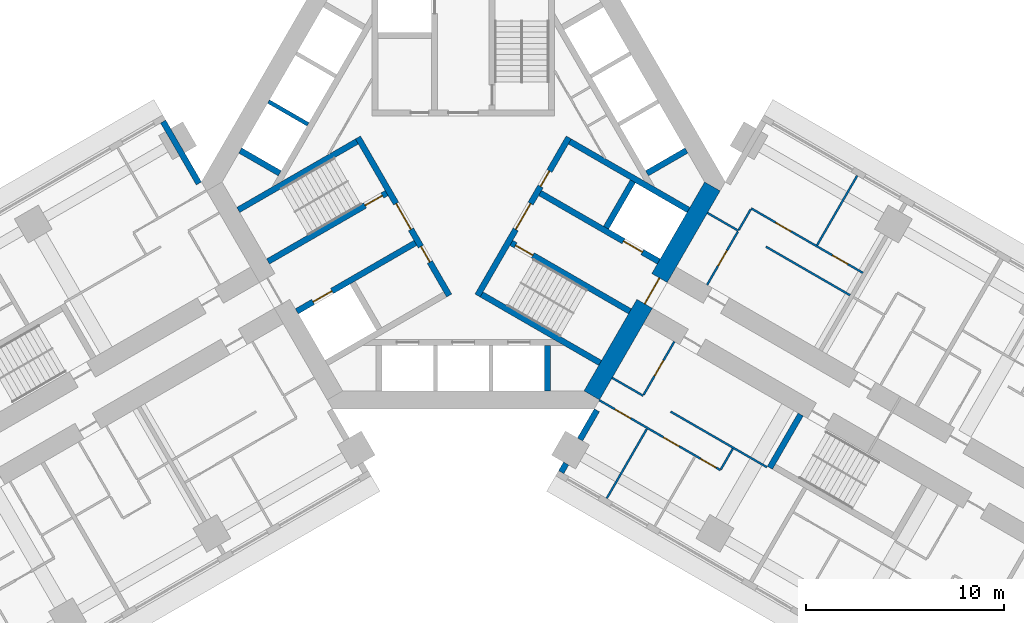
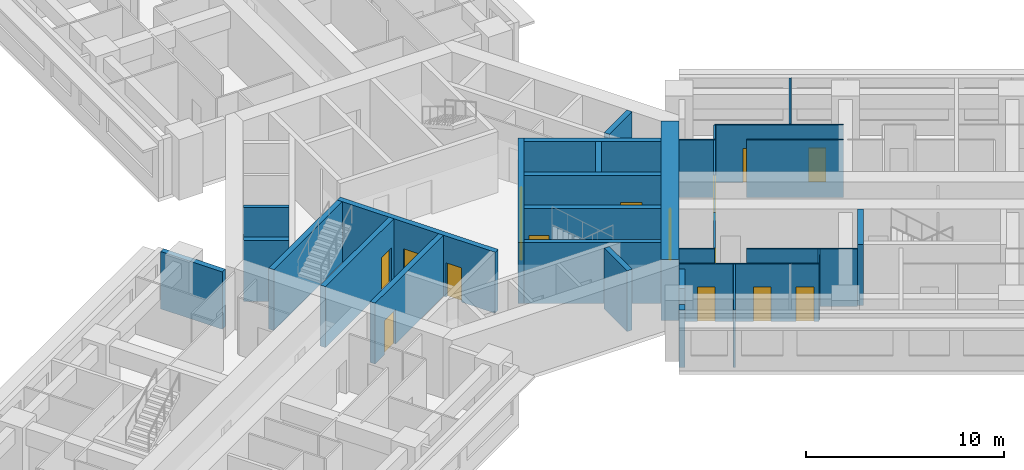
# One storey, part 7 of 16: 31 walls, 16 doors, 16 openings.
"""IFC4 building model written with IfcOpenShell, lengths in metres."""

from ifc_helpers import new_model, si_unit, direction, frame, frame_2d, origin, place, context, subcontext, project, spatial, rectangle, extrude, material, layer, layer_set, type_object, element, fill, save


model = new_model("IFC4")

# Units and contexts
model_context = context("Model", 3, precision=1e-05, world=origin(), true_north=direction((0.0, 1.0)))
body_context = subcontext(model_context, "Body", "Model", "MODEL_VIEW")
ifc_project = project(units=[si_unit("LENGTHUNIT", "METRE"), si_unit("AREAUNIT", "SQUARE_METRE"), si_unit("VOLUMEUNIT", "CUBIC_METRE"), si_unit("PLANEANGLEUNIT", "RADIAN"), si_unit("MASSUNIT", "GRAM", prefix="KILO")], contexts=[model_context])

# Site, building, storey
site_placement = place(None, origin())
site = spatial("IfcSite", under=ifc_project, at=site_placement, CompositionType="ELEMENT")
building_placement = place(site_placement, origin())
building = spatial("IfcBuilding", under=site, at=building_placement, Name="Impinga Residences", CompositionType="ELEMENT")
storey_placement = place(building_placement, frame((0.0, 0.0, 52.25)))
storey = spatial("IfcBuildingStorey", under=building, at=storey_placement, Name="L12", CompositionType="ELEMENT", Elevation=52.25)

# Walls
ifc_material_1 = material(Name="Terracotta rainscreen on blockwork", Category="masonry")
ifc_layer_1 = layer(ifc_material_1, 0.300048828125)
ifc_layer_set_1 = layer_set([ifc_layer_1], Name="EW1 external wall, terracotta rainscreen on blockwork 300")
wall_type_1 = type_object("IfcWallType", Name="EW1 external wall, terracotta rainscreen on blockwork 300", PredefinedType="SOLIDWALL", material=ifc_layer_set_1)
wall_1_placement = place(storey_placement, frame((-15.1298828125, 3.042724609375, 0.0), z_axis=(0.0, 0.0, 1.0), x_axis=(0.500012057535, -0.866018442252, 0.0)))
element("IfcWall", 1, at=wall_1_placement, inside=storey, type_object=wall_type_1, Name="External wall EW1 L12", PredefinedType="SOLIDWALL", context=body_context, shape_type="SweptSolid", body=[
    extrude(rectangle(XDim=3.60009765625, YDim=0.300048828125, at=frame_2d((1.800048828125, 0.0))), origin(), (0.0, 0.0, 1.0), 3.530029296875),
])
wall_2_placement = place(storey_placement, frame((4.929931640625, -14.624267578125, 0.0), z_axis=(0.0, 0.0, 1.0), x_axis=(0.499919672301, 0.866071776036, 0.0)))
element("IfcWall", 2, at=wall_2_placement, inside=storey, type_object=wall_type_1, Name="External wall EW1 L12", PredefinedType="SOLIDWALL", context=body_context, shape_type="SweptSolid", body=[
    extrude(rectangle(XDim=0.5, YDim=0.300048828125, at=frame_2d((0.25, 0.0))), origin(), (0.0, 0.0, 1.0), 3.530029296875),
])
wall_3_placement = place(storey_placement, frame((5.8798828125, -12.978759765625, 0.0), z_axis=(0.0, 0.0, 1.0), x_axis=(0.500062241894, 0.865989465428, 0.0)))
element("IfcWall", 3, at=wall_3_placement, inside=storey, type_object=wall_type_1, Name="External wall EW1 L12", PredefinedType="SOLIDWALL", context=body_context, shape_type="SweptSolid", body=[
    extrude(rectangle(XDim=1.699951171875, YDim=0.300048828125, at=frame_2d((0.85009765625, 0.0))), origin(), (0.0, 0.0, 1.0), 3.530029296875),
])
ifc_material_2 = material(Name="Gypsum board on steel studs", Category="steel")
ifc_layer_2 = layer(ifc_material_2, 0.10009765625)
ifc_layer_set_2 = layer_set([ifc_layer_2], Name="Gypsum board on steel studs")
wall_type_2 = type_object("IfcWallType", Name="IP1 partition 100", PredefinedType="PARTITIONING", material=ifc_layer_set_2)
wall_4_placement = place(storey_placement, frame((12.300048828125, -1.558837890625, 0.0), z_axis=(0.0, 0.0, 1.0), x_axis=(0.866047807691, -0.499961193289, 0.0)))
element("IfcWall", 4, at=wall_4_placement, inside=storey, type_object=wall_type_2, Name="Partition L12-EA1:DIV0", PredefinedType="PARTITIONING", context=body_context, shape_type="SweptSolid", body=[
    extrude(rectangle(XDim=1.800048828125, YDim=0.10009765625, at=frame_2d((0.89990234375, 0.0))), origin(), (0.0, 0.0, 1.0), 3.530029296875),
])
wall_5_placement = place(storey_placement, frame((15.244384765625, -3.2587890625, 0.0), z_axis=(0.0, 0.0, 1.0), x_axis=(0.866036242063, -0.49998122708, 0.0)))
element("IfcWall", 5, at=wall_5_placement, inside=storey, type_object=wall_type_2, Name="Partition L12-EA1:DIV1", PredefinedType="PARTITIONING", context=body_context, shape_type="SweptSolid", body=[
    extrude(rectangle(XDim=4.900146484375, YDim=0.10009765625, at=frame_2d((2.4501953125, 0.0))), origin(), (0.0, 0.0, 1.0), 3.530029296875),
])

# Wall, openings, doors
wall_6_placement = place(storey_placement, frame((14.5087890625, -1.3330078125, 0.0), z_axis=(0.0, 0.0, 1.0), x_axis=(0.866024837091, -0.50000098154, 0.0)))
wall_6 = element("IfcWall", 6, at=wall_6_placement, inside=storey, type_object=wall_type_2, Name="Partition L12-EA1:STRIP", PredefinedType="PARTITIONING", context=body_context, shape_type="SweptSolid", body=[
    extrude(rectangle(XDim=6.5, YDim=0.10009765625, at=frame_2d((3.25, 0.0))), origin(), (0.0, 0.0, 1.0), 3.530029296875),
])
opening_1_placement = place(wall_6_placement, frame((1.425048828125, 0.0, 0.0)))
opening_1 = element("IfcOpeningElement", 7, at=opening_1_placement, cuts=wall_6, Name="Opening D2", PredefinedType="OPENING", context=body_context, shape_type="SweptSolid", body=[
    extrude(rectangle(XDim=0.89990234375, YDim=2.10009765625, at=frame_2d((0.449951171875, 1.050048828125))), frame((0.0, 0.06005859375, 0.0), z_axis=(0.0, -1.0, 0.0), x_axis=(1.0, 0.0, 0.0)), (0.0, 0.0, 1.0), 0.1201171875),
])
opening_2_placement = place(wall_6_placement, frame((4.72509765625, 0.0, 0.0)))
opening_2 = element("IfcOpeningElement", 8, at=opening_2_placement, cuts=wall_6, Name="Opening D2", PredefinedType="OPENING", context=body_context, shape_type="SweptSolid", body=[
    extrude(rectangle(XDim=0.89990234375, YDim=2.10009765625, at=frame_2d((0.449951171875, 1.050048828125))), frame((0.0, 0.06005859375, 0.0), z_axis=(0.0, -1.0, 0.0), x_axis=(1.0, 0.0, 0.0)), (0.0, 0.0, 1.0), 0.1201171875),
])
ifc_material_3 = material(Name="Timber door set", Category="wood")
door_type_1 = type_object("IfcDoorType", Name="D2 internal door 900x2100", OperationType="SINGLE_SWING_LEFT", PredefinedType="DOOR", material=ifc_material_3)
door_1_placement = place(opening_1_placement, origin())
door_1 = element("IfcDoor", 9, at=door_1_placement, inside=storey, type_object=door_type_1, Name="Apartment L12-EA1 room door", OperationType="SINGLE_SWING_LEFT", OverallHeight=2.10009765625, OverallWidth=0.89990234375, PredefinedType="DOOR", context=body_context, shape_type="SweptSolid", body=[
    extrude(rectangle(XDim=0.89990234375, YDim=2.10009765625, at=frame_2d((0.449951171875, 1.050048828125))), frame((0.0, 0.02490234375, 0.0), z_axis=(0.0, -1.0, 0.0), x_axis=(1.0, 0.0, 0.0)), (0.0, 0.0, 1.0), 0.050048828125),
])
fill(opening_1, door_1)
door_2_placement = place(opening_2_placement, origin())
door_2 = element("IfcDoor", 10, at=door_2_placement, inside=storey, type_object=door_type_1, Name="Apartment L12-EA1 room door", OperationType="SINGLE_SWING_RIGHT", OverallHeight=2.10009765625, OverallWidth=0.89990234375, PredefinedType="DOOR", context=body_context, shape_type="SweptSolid", body=[
    extrude(rectangle(XDim=0.89990234375, YDim=2.10009765625, at=frame_2d((0.449951171875, 1.050048828125))), frame((0.0, 0.02490234375, 0.0), z_axis=(0.0, -1.0, 0.0), x_axis=(1.0, 0.0, 0.0)), (0.0, 0.0, 1.0), 0.050048828125),
])
fill(opening_2, door_2)

# Wall
wall_7_placement = place(storey_placement, frame((13.8837890625, -2.41552734375, 0.0), z_axis=(0.0, 0.0, 1.0), x_axis=(0.500033551112, 0.866006032174, 0.0)))
element("IfcWall", 11, at=wall_7_placement, inside=storey, type_object=wall_type_2, Name="Partition L12-EA1:SE0", PredefinedType="PARTITIONING", context=body_context, shape_type="SweptSolid", body=[
    extrude(rectangle(XDim=1.2001953125, YDim=0.10009765625, at=frame_2d((0.60009765625, 0.0))), origin(), (0.0, 0.0, 1.0), 3.530029296875),
])

# Wall, opening, door
wall_8_placement = place(storey_placement, frame((12.283935546875, -5.186767578125, 0.0), z_axis=(0.0, 0.0, 1.0), x_axis=(0.499967891604, 0.866043940782, 0.0)))
wall_8 = element("IfcWall", 12, at=wall_8_placement, inside=storey, type_object=wall_type_2, Name="Partition L12-EA1:IB1", PredefinedType="PARTITIONING", context=body_context, shape_type="SweptSolid", body=[
    extrude(rectangle(XDim=3.099853515625, YDim=0.10009765625, at=frame_2d((1.5498046875, 0.0))), origin(), (0.0, 0.0, 1.0), 3.530029296875),
])
opening_3_placement = place(wall_8_placement, frame((1.10009765625, 0.0, 0.0)))
opening_3 = element("IfcOpeningElement", 13, at=opening_3_placement, cuts=wall_8, Name="Opening D2", PredefinedType="OPENING", context=body_context, shape_type="SweptSolid", body=[
    extrude(rectangle(XDim=0.89990234375, YDim=2.10009765625, at=frame_2d((0.449951171875, 1.050048828125))), frame((0.0, 0.06005859375, 0.0), z_axis=(0.0, -1.0, 0.0), x_axis=(1.0, 0.0, 0.0)), (0.0, 0.0, 1.0), 0.1201171875),
])
door_3_placement = place(opening_3_placement, origin())
door_3 = element("IfcDoor", 14, at=door_3_placement, inside=storey, type_object=door_type_1, Name="Apartment L12-EA1 bathroom door", OperationType="SINGLE_SWING_LEFT", OverallHeight=2.10009765625, OverallWidth=0.89990234375, PredefinedType="DOOR", context=body_context, shape_type="SweptSolid", body=[
    extrude(rectangle(XDim=0.89990234375, YDim=2.10009765625, at=frame_2d((0.449951171875, 1.050048828125))), frame((0.0, 0.02490234375, 0.0), z_axis=(0.0, -1.0, 0.0), x_axis=(1.0, 0.0, 0.0)), (0.0, 0.0, 1.0), 0.050048828125),
])
fill(opening_3, door_3)

# Walls
wall_9_placement = place(storey_placement, frame((17.82470703125, -3.189697265625, 0.0), z_axis=(0.0, 0.0, 1.0), x_axis=(0.500035537042, 0.866004885491, 0.0)))
element("IfcWall", 15, at=wall_9_placement, inside=storey, type_object=wall_type_2, Name="Partition L12-EA1:OB1", PredefinedType="PARTITIONING", context=body_context, shape_type="SweptSolid", body=[
    extrude(rectangle(XDim=4.050048828125, YDim=0.10009765625, at=frame_2d((2.02490234375, 0.0))), origin(), (0.0, 0.0, 1.0), 3.530029296875),
])
wall_10_placement = place(storey_placement, frame((7.5, -9.872802734375, 0.0), z_axis=(0.0, 0.0, 1.0), x_axis=(0.866047807691, -0.499961193289, 0.0)))
element("IfcWall", 16, at=wall_10_placement, inside=storey, type_object=wall_type_2, Name="Partition L12-EF1:DIV0", PredefinedType="PARTITIONING", context=body_context, shape_type="SweptSolid", body=[
    extrude(rectangle(XDim=1.800048828125, YDim=0.10009765625, at=frame_2d((0.89990234375, 0.0))), origin(), (0.0, 0.0, 1.0), 3.530029296875),
])
wall_11_placement = place(storey_placement, frame((10.444580078125, -11.57275390625, 0.0), z_axis=(0.0, 0.0, 1.0), x_axis=(0.866015695474, -0.500016814911, 0.0)))
element("IfcWall", 17, at=wall_11_placement, inside=storey, type_object=wall_type_2, Name="Partition L12-EF1:DIV1", PredefinedType="PARTITIONING", context=body_context, shape_type="SweptSolid", body=[
    extrude(rectangle(XDim=5.599853515625, YDim=0.10009765625, at=frame_2d((2.7998046875, 0.0))), origin(), (0.0, 0.0, 1.0), 3.530029296875),
])

# Wall, openings, doors
wall_12_placement = place(storey_placement, frame((6.85009765625, -10.99853515625, 0.0), z_axis=(0.0, 0.0, 1.0), x_axis=(0.866031034943, -0.499990246421, 0.0)))
wall_12 = element("IfcWall", 18, at=wall_12_placement, inside=storey, type_object=wall_type_2, Name="Partition L12-EF1:STRIP", PredefinedType="PARTITIONING", context=body_context, shape_type="SweptSolid", body=[
    extrude(rectangle(XDim=7.050048828125, YDim=0.10009765625, at=frame_2d((3.52490234375, 0.0))), origin(), (0.0, 0.0, 1.0), 3.530029296875),
])
opening_4_placement = place(wall_12_placement, frame((0.925048828125, 0.0, 0.0)))
opening_4 = element("IfcOpeningElement", 19, at=opening_4_placement, cuts=wall_12, Name="Opening D2", PredefinedType="OPENING", context=body_context, shape_type="SweptSolid", body=[
    extrude(rectangle(XDim=0.89990234375, YDim=2.10009765625, at=frame_2d((0.449951171875, 1.050048828125))), frame((0.0, 0.06005859375, 0.0), z_axis=(0.0, -1.0, 0.0), x_axis=(1.0, 0.0, 0.0)), (0.0, 0.0, 1.0), 0.1201171875),
])
opening_5_placement = place(wall_12_placement, frame((3.75, 0.0, 0.0)))
opening_5 = element("IfcOpeningElement", 20, at=opening_5_placement, cuts=wall_12, Name="Opening D2", PredefinedType="OPENING", context=body_context, shape_type="SweptSolid", body=[
    extrude(rectangle(XDim=0.89990234375, YDim=2.10009765625, at=frame_2d((0.449951171875, 1.050048828125))), frame((0.0, 0.06005859375, 0.0), z_axis=(0.0, -1.0, 0.0), x_axis=(1.0, 0.0, 0.0)), (0.0, 0.0, 1.0), 0.1201171875),
])
opening_6_placement = place(wall_12_placement, frame((5.89990234375, 0.0, 0.0)))
opening_6 = element("IfcOpeningElement", 21, at=opening_6_placement, cuts=wall_12, Name="Opening D2", PredefinedType="OPENING", context=body_context, shape_type="SweptSolid", body=[
    extrude(rectangle(XDim=0.89990234375, YDim=2.10009765625, at=frame_2d((0.449951171875, 1.050048828125))), frame((0.0, 0.06005859375, 0.0), z_axis=(0.0, -1.0, 0.0), x_axis=(1.0, 0.0, 0.0)), (0.0, 0.0, 1.0), 0.1201171875),
])
door_4_placement = place(opening_4_placement, origin())
door_4 = element("IfcDoor", 22, at=door_4_placement, inside=storey, type_object=door_type_1, Name="Apartment L12-EF1 room door", OperationType="SINGLE_SWING_LEFT", OverallHeight=2.10009765625, OverallWidth=0.89990234375, PredefinedType="DOOR", context=body_context, shape_type="SweptSolid", body=[
    extrude(rectangle(XDim=0.89990234375, YDim=2.10009765625, at=frame_2d((0.449951171875, 1.050048828125))), frame((0.0, 0.02490234375, 0.0), z_axis=(0.0, -1.0, 0.0), x_axis=(1.0, 0.0, 0.0)), (0.0, 0.0, 1.0), 0.050048828125),
])
fill(opening_4, door_4)
door_5_placement = place(opening_5_placement, origin())
door_5 = element("IfcDoor", 23, at=door_5_placement, inside=storey, type_object=door_type_1, Name="Apartment L12-EF1 room door", OperationType="SINGLE_SWING_RIGHT", OverallHeight=2.10009765625, OverallWidth=0.89990234375, PredefinedType="DOOR", context=body_context, shape_type="SweptSolid", body=[
    extrude(rectangle(XDim=0.89990234375, YDim=2.10009765625, at=frame_2d((0.449951171875, 1.050048828125))), frame((0.0, 0.02490234375, 0.0), z_axis=(0.0, -1.0, 0.0), x_axis=(1.0, 0.0, 0.0)), (0.0, 0.0, 1.0), 0.050048828125),
])
fill(opening_5, door_5)
door_6_placement = place(opening_6_placement, origin())
door_6 = element("IfcDoor", 24, at=door_6_placement, inside=storey, type_object=door_type_1, Name="Apartment L12-EF1 room door", OperationType="SINGLE_SWING_RIGHT", OverallHeight=2.10009765625, OverallWidth=0.89990234375, PredefinedType="DOOR", context=body_context, shape_type="SweptSolid", body=[
    extrude(rectangle(XDim=0.89990234375, YDim=2.10009765625, at=frame_2d((0.449951171875, 1.050048828125))), frame((0.0, 0.02490234375, 0.0), z_axis=(0.0, -1.0, 0.0), x_axis=(1.0, 0.0, 0.0)), (0.0, 0.0, 1.0), 0.050048828125),
])
fill(opening_6, door_6)

# Wall
wall_13_placement = place(storey_placement, frame((13.58056640625, -13.44091796875, 0.0), z_axis=(0.0, 0.0, 1.0), x_axis=(-0.500033551112, -0.866006032174, 0.0)))
element("IfcWall", 25, at=wall_13_placement, inside=storey, type_object=wall_type_2, Name="Partition L12-EF1:SE1", PredefinedType="PARTITIONING", context=body_context, shape_type="SweptSolid", body=[
    extrude(rectangle(XDim=1.2001953125, YDim=0.10009765625, at=frame_2d((0.60009765625, 0.0))), origin(), (0.0, 0.0, 1.0), 3.530029296875),
])

# Wall, opening, door
wall_14_placement = place(storey_placement, frame((10.6337890625, -8.044677734375, 0.0), z_axis=(0.0, 0.0, 1.0), x_axis=(-0.49999285859, -0.86602952684, 0.0)))
wall_14 = element("IfcWall", 26, at=wall_14_placement, inside=storey, type_object=wall_type_2, Name="Partition L12-EF1:IB1", PredefinedType="PARTITIONING", context=body_context, shape_type="SweptSolid", body=[
    extrude(rectangle(XDim=3.10009765625, YDim=0.10009765625, at=frame_2d((1.550048828125, 0.0))), origin(), (0.0, 0.0, 1.0), 3.530029296875),
])
opening_7_placement = place(wall_14_placement, frame((1.10009765625, 0.0, 0.0)))
opening_7 = element("IfcOpeningElement", 27, at=opening_7_placement, cuts=wall_14, Name="Opening D2", PredefinedType="OPENING", context=body_context, shape_type="SweptSolid", body=[
    extrude(rectangle(XDim=0.89990234375, YDim=2.10009765625, at=frame_2d((0.449951171875, 1.050048828125))), frame((0.0, 0.06005859375, 0.0), z_axis=(0.0, -1.0, 0.0), x_axis=(1.0, 0.0, 0.0)), (0.0, 0.0, 1.0), 0.1201171875),
])
door_7_placement = place(opening_7_placement, origin())
door_7 = element("IfcDoor", 28, at=door_7_placement, inside=storey, type_object=door_type_1, Name="Apartment L12-EF1 bathroom door", OperationType="SINGLE_SWING_LEFT", OverallHeight=2.10009765625, OverallWidth=0.89990234375, PredefinedType="DOOR", context=body_context, shape_type="SweptSolid", body=[
    extrude(rectangle(XDim=0.89990234375, YDim=2.10009765625, at=frame_2d((0.449951171875, 1.050048828125))), frame((0.0, 0.02490234375, 0.0), z_axis=(0.0, -1.0, 0.0), x_axis=(1.0, 0.0, 0.0)), (0.0, 0.0, 1.0), 0.050048828125),
])
fill(opening_7, door_7)

# Walls
wall_15_placement = place(storey_placement, frame((9.249755859375, -12.44189453125, 0.0), z_axis=(0.0, 0.0, 1.0), x_axis=(-0.499990325971, -0.866030989016, 0.0)))
element("IfcWall", 29, at=wall_15_placement, inside=storey, type_object=wall_type_2, Name="Partition L12-EF1:OB1", PredefinedType="PARTITIONING", context=body_context, shape_type="SweptSolid", body=[
    extrude(rectangle(XDim=4.0498046875, YDim=0.10009765625, at=frame_2d((2.02490234375, 0.0))), origin(), (0.0, 0.0, 1.0), 3.530029296875),
])
ifc_material_4 = material(Name="Concrete C60/75", Category="concrete")
ifc_layer_3 = layer(ifc_material_4, 0.300048828125)
ifc_layer_set_3 = layer_set([ifc_layer_3], Name="Concrete C60/75")
wall_type_3 = type_object("IfcWallType", Name="SE1 wing stair enclosure wall 300", PredefinedType="SOLIDWALL", material=ifc_layer_set_3)
wall_16_placement = place(storey_placement, frame((16.9990234375, -11.7197265625, 0.0), z_axis=(0.0, 0.0, 1.0), x_axis=(-0.499967891604, -0.866043940782, 0.0)))
element("IfcWall", 30, at=wall_16_placement, inside=storey, type_object=wall_type_3, Name="Stair enclosure wall SE1 E END0 L12", PredefinedType="SOLIDWALL", context=body_context, shape_type="SweptSolid", body=[
    extrude(rectangle(XDim=3.099853515625, YDim=0.300048828125, at=frame_2d((1.5498046875, 0.0))), origin(), (0.0, 0.0, 1.0), 3.75),
])

# Wall, opening, door
ifc_material_5 = material(Name="Concrete C70/85", Category="concrete")
ifc_layer_4 = layer(ifc_material_5, 0.89990234375)
ifc_layer_set_4 = layer_set([ifc_layer_4], Name="Concrete C70/85")
wall_type_4 = type_object("IfcWallType", Name="SW1 core wall 900", PredefinedType="SHEAR", material=ifc_layer_set_4)
wall_17_placement = place(storey_placement, frame((12.550537109375, -0.22509765625, 0.0), z_axis=(0.0, 0.0, 1.0), x_axis=(-0.499997612506, -0.8660267822, 0.0)))
wall_17 = element("IfcWall", 31, at=wall_17_placement, inside=storey, type_object=wall_type_4, Name="Core wall SW1 E:FACE L12", PredefinedType="SHEAR", context=body_context, shape_type="SweptSolid", body=[
    extrude(rectangle(XDim=12.16064453125, YDim=0.89990234375, at=frame_2d((6.080322265625, 0.0))), origin(), (0.0, 0.0, 1.0), 3.75),
])
opening_8_placement = place(wall_17_placement, frame((5.330322265625, 0.0, 0.0)))
opening_8 = element("IfcOpeningElement", 32, at=opening_8_placement, cuts=wall_17, Name="Opening D4", PredefinedType="OPENING", context=body_context, shape_type="SweptSolid", body=[
    extrude(rectangle(XDim=1.5, YDim=2.10009765625, at=frame_2d((0.75, 1.050048828125))), frame((0.0, 0.4599609375, 0.0), z_axis=(0.0, -1.0, 0.0), x_axis=(1.0, 0.0, 0.0)), (0.0, 0.0, 1.0), 0.919921875),
])
door_type_2 = type_object("IfcDoorType", Name="D4 lobby door pair 1500x2100", OperationType="DOUBLE_DOOR_DOUBLE_SWING", PredefinedType="DOOR", material=ifc_material_3)
door_8_placement = place(opening_8_placement, origin())
door_8 = element("IfcDoor", 33, at=door_8_placement, inside=storey, type_object=door_type_2, Name="Lobby door E", OperationType="DOUBLE_DOOR_DOUBLE_SWING", OverallHeight=2.10009765625, OverallWidth=1.5, PredefinedType="DOOR", context=body_context, shape_type="SweptSolid", body=[
    extrude(rectangle(XDim=1.5, YDim=2.10009765625, at=frame_2d((0.75, 1.050048828125))), frame((0.0, 0.02490234375, 0.0), z_axis=(0.0, -1.0, 0.0), x_axis=(1.0, 0.0, 0.0)), (0.0, 0.0, 1.0), 0.050048828125),
])
fill(opening_8, door_8)

# Wall, openings, doors
ifc_layer_5 = layer(ifc_material_5, 0.300048828125)
ifc_layer_set_5 = layer_set([ifc_layer_5], Name="Concrete C70/85")
wall_type_5 = type_object("IfcWallType", Name="SW5 core inner wall, stairs, shafts and lobbies 300", PredefinedType="SHEAR", material=ifc_layer_set_5)
wall_18_placement = place(storey_placement, frame((-0.7138671875, -5.7236328125, 0.0), z_axis=(0.0, 0.0, 1.0), x_axis=(-0.499995050369, 0.866028261437, 0.0)))
wall_18 = element("IfcWall", 34, at=wall_18_placement, inside=storey, type_object=wall_type_5, Name="Core wall SW5 W:ZONE L12", PredefinedType="SHEAR", context=body_context, shape_type="SweptSolid", body=[
    extrude(rectangle(XDim=9.19970703125, YDim=0.300048828125, at=frame_2d((4.599853515625, 0.0))), origin(), (0.0, 0.0, 1.0), 3.75),
])
opening_9_placement = place(wall_18_placement, frame((3.85009765625, 0.0, 0.0)))
opening_9 = element("IfcOpeningElement", 35, at=opening_9_placement, cuts=wall_18, Name="Opening D4", PredefinedType="OPENING", context=body_context, shape_type="SweptSolid", body=[
    extrude(rectangle(XDim=1.5, YDim=2.10009765625, at=frame_2d((0.75, 1.050048828125))), frame((0.0, 0.159912109375, 0.0), z_axis=(0.0, -1.0, 0.0), x_axis=(1.0, 0.0, 0.0)), (0.0, 0.0, 1.0), 0.320068359375),
])
opening_10_placement = place(wall_18_placement, frame((1.949951171875, 0.0, 0.0)))
opening_10 = element("IfcOpeningElement", 36, at=opening_10_placement, cuts=wall_18, Name="Opening D6", PredefinedType="OPENING", context=body_context, shape_type="SweptSolid", body=[
    extrude(rectangle(XDim=0.89990234375, YDim=2.10009765625, at=frame_2d((0.449951171875, 1.050048828125))), frame((0.0, 0.159912109375, 0.0), z_axis=(0.0, -1.0, 0.0), x_axis=(1.0, 0.0, 0.0)), (0.0, 0.0, 1.0), 0.320068359375),
])
door_9_placement = place(opening_9_placement, origin())
door_9 = element("IfcDoor", 37, at=door_9_placement, inside=storey, type_object=door_type_2, Name="Firefighting lobby door W", OperationType="DOUBLE_DOOR_DOUBLE_SWING", OverallHeight=2.10009765625, OverallWidth=1.5, PredefinedType="DOOR", context=body_context, shape_type="SweptSolid", body=[
    extrude(rectangle(XDim=1.5, YDim=2.10009765625, at=frame_2d((0.75, 1.050048828125))), frame((0.0, 0.02490234375, 0.0), z_axis=(0.0, -1.0, 0.0), x_axis=(1.0, 0.0, 0.0)), (0.0, 0.0, 1.0), 0.050048828125),
])
fill(opening_9, door_9)
door_type_3 = type_object("IfcDoorType", Name="D6 riser and store door 900x2100", OperationType="SINGLE_SWING_LEFT", PredefinedType="DOOR", material=ifc_material_3)
door_10_placement = place(opening_10_placement, origin())
door_10 = element("IfcDoor", 38, at=door_10_placement, inside=storey, type_object=door_type_3, Name="Riser door W", OperationType="SINGLE_SWING_LEFT", OverallHeight=2.10009765625, OverallWidth=0.89990234375, PredefinedType="DOOR", context=body_context, shape_type="SweptSolid", body=[
    extrude(rectangle(XDim=0.89990234375, YDim=2.10009765625, at=frame_2d((0.449951171875, 1.050048828125))), frame((0.0, 0.02490234375, 0.0), z_axis=(0.0, -1.0, 0.0), x_axis=(1.0, 0.0, 0.0)), (0.0, 0.0, 1.0), 0.050048828125),
])
fill(opening_10, door_10)

# Wall, opening, door
wall_19_placement = place(storey_placement, frame((-3.86865234375, -0.559326171875, 0.0), z_axis=(0.0, 0.0, 1.0), x_axis=(-0.86602711848, -0.499997030048, 0.0)))
wall_19 = element("IfcWall", 39, at=wall_19_placement, inside=storey, type_object=wall_type_5, Name="Core wall SW5 W:ST-IN L12", PredefinedType="SHEAR", context=body_context, shape_type="SweptSolid", body=[
    extrude(rectangle(XDim=6.9013671875, YDim=0.300048828125, at=frame_2d((3.45068359375, 0.0))), origin(), (0.0, 0.0, 1.0), 3.75),
])
opening_11_placement = place(wall_19_placement, frame((0.25, 0.0, 0.0)))
opening_11 = element("IfcOpeningElement", 40, at=opening_11_placement, cuts=wall_19, Name="Opening D5", PredefinedType="OPENING", context=body_context, shape_type="SweptSolid", body=[
    extrude(rectangle(XDim=1.0, YDim=2.10009765625, at=frame_2d((0.5, 1.050048828125))), frame((0.0, 0.159912109375, 0.0), z_axis=(0.0, -1.0, 0.0), x_axis=(1.0, 0.0, 0.0)), (0.0, 0.0, 1.0), 0.320068359375),
])
door_type_4 = type_object("IfcDoorType", Name="D5 stair door 1000x2100", OperationType="SINGLE_SWING_LEFT", PredefinedType="DOOR", material=ifc_material_3)
door_11_placement = place(opening_11_placement, origin())
door_11 = element("IfcDoor", 41, at=door_11_placement, inside=storey, type_object=door_type_4, Name="Stair door W", OperationType="SINGLE_SWING_LEFT", OverallHeight=2.10009765625, OverallWidth=1.0, PredefinedType="DOOR", context=body_context, shape_type="SweptSolid", body=[
    extrude(rectangle(XDim=1.0, YDim=2.10009765625, at=frame_2d((0.5, 1.050048828125))), frame((0.0, 0.02490234375, 0.0), z_axis=(0.0, -1.0, 0.0), x_axis=(1.0, 0.0, 0.0)), (0.0, 0.0, 1.0), 0.050048828125),
])
fill(opening_11, door_11)

# Wall
wall_20_placement = place(storey_placement, frame((-5.36865234375, 2.038818359375, 0.0), z_axis=(0.0, 0.0, 1.0), x_axis=(-0.86602711848, -0.499997030048, 0.0)))
element("IfcWall", 42, at=wall_20_placement, inside=storey, type_object=wall_type_5, Name="Core wall SW5 W:ST-OUT L12", PredefinedType="SHEAR", context=body_context, shape_type="SweptSolid", body=[
    extrude(rectangle(XDim=6.9013671875, YDim=0.300048828125, at=frame_2d((3.45068359375, 0.0))), origin(), (0.0, 0.0, 1.0), 3.75),
])

# Wall, opening, door
wall_21_placement = place(storey_placement, frame((-2.418701171875, -3.07080078125, 0.0), z_axis=(0.0, 0.0, 1.0), x_axis=(-0.86602711848, -0.499997030048, 0.0)))
wall_21 = element("IfcWall", 43, at=wall_21_placement, inside=storey, type_object=wall_type_5, Name="Core wall SW5 W:FF-IN L12", PredefinedType="SHEAR", context=body_context, shape_type="SweptSolid", body=[
    extrude(rectangle(XDim=6.9013671875, YDim=0.300048828125, at=frame_2d((3.45068359375, 0.0))), origin(), (0.0, 0.0, 1.0), 3.75),
])
opening_12_placement = place(wall_21_placement, frame((4.85009765625, 0.0, 0.0)))
opening_12 = element("IfcOpeningElement", 44, at=opening_12_placement, cuts=wall_21, Name="Opening LD2", PredefinedType="OPENING", context=body_context, shape_type="SweptSolid", body=[
    extrude(rectangle(XDim=1.10009765625, YDim=2.10009765625, at=frame_2d((0.550048828125, 1.050048828125))), frame((0.0, 0.159912109375, 0.0), z_axis=(0.0, -1.0, 0.0), x_axis=(1.0, 0.0, 0.0)), (0.0, 0.0, 1.0), 0.320068359375),
])
ifc_material_6 = material(Name="Steel lift landing door", Category="steel")
door_type_5 = type_object("IfcDoorType", Name="LD2 firefighting lift landing door 1100x2100", OperationType="DOUBLE_DOOR_SLIDING", PredefinedType="DOOR", material=ifc_material_6)
door_12_placement = place(opening_12_placement, origin())
door_12 = element("IfcDoor", 45, at=door_12_placement, inside=storey, type_object=door_type_5, Name="Firefighting lift landing door F2", OperationType="DOUBLE_DOOR_SLIDING", OverallHeight=2.10009765625, OverallWidth=1.10009765625, PredefinedType="DOOR", context=body_context, shape_type="SweptSolid", body=[
    extrude(rectangle(XDim=1.10009765625, YDim=2.10009765625, at=frame_2d((0.550048828125, 1.050048828125))), frame((0.0, 0.02490234375, 0.0), z_axis=(0.0, -1.0, 0.0), x_axis=(1.0, 0.0, 0.0)), (0.0, 0.0, 1.0), 0.050048828125),
])
fill(opening_12, door_12)

# Wall, openings, doors
wall_22_placement = place(storey_placement, frame((5.313720703125, 2.24365234375, 0.0), z_axis=(0.0, 0.0, 1.0), x_axis=(-0.499995050369, -0.866028261437, 0.0)))
wall_22 = element("IfcWall", 46, at=wall_22_placement, inside=storey, type_object=wall_type_5, Name="Core wall SW5 E:ZONE L12", PredefinedType="SHEAR", context=body_context, shape_type="SweptSolid", body=[
    extrude(rectangle(XDim=9.19970703125, YDim=0.300048828125, at=frame_2d((4.599853515625, 0.0))), origin(), (0.0, 0.0, 1.0), 3.75),
])
opening_13_placement = place(wall_22_placement, frame((3.85009765625, 0.0, 0.0)))
opening_13 = element("IfcOpeningElement", 47, at=opening_13_placement, cuts=wall_22, Name="Opening D4", PredefinedType="OPENING", context=body_context, shape_type="SweptSolid", body=[
    extrude(rectangle(XDim=1.5, YDim=2.10009765625, at=frame_2d((0.75, 1.050048828125))), frame((0.0, 0.159912109375, 0.0), z_axis=(0.0, -1.0, 0.0), x_axis=(1.0, 0.0, 0.0)), (0.0, 0.0, 1.0), 0.320068359375),
])
opening_14_placement = place(wall_22_placement, frame((1.949951171875, 0.0, 0.0)))
opening_14 = element("IfcOpeningElement", 48, at=opening_14_placement, cuts=wall_22, Name="Opening D6", PredefinedType="OPENING", context=body_context, shape_type="SweptSolid", body=[
    extrude(rectangle(XDim=0.89990234375, YDim=2.10009765625, at=frame_2d((0.449951171875, 1.050048828125))), frame((0.0, 0.159912109375, 0.0), z_axis=(0.0, -1.0, 0.0), x_axis=(1.0, 0.0, 0.0)), (0.0, 0.0, 1.0), 0.320068359375),
])
door_13_placement = place(opening_13_placement, origin())
door_13 = element("IfcDoor", 49, at=door_13_placement, inside=storey, type_object=door_type_2, Name="Firefighting lobby door E", OperationType="DOUBLE_DOOR_DOUBLE_SWING", OverallHeight=2.10009765625, OverallWidth=1.5, PredefinedType="DOOR", context=body_context, shape_type="SweptSolid", body=[
    extrude(rectangle(XDim=1.5, YDim=2.10009765625, at=frame_2d((0.75, 1.050048828125))), frame((0.0, 0.02490234375, 0.0), z_axis=(0.0, -1.0, 0.0), x_axis=(1.0, 0.0, 0.0)), (0.0, 0.0, 1.0), 0.050048828125),
])
fill(opening_13, door_13)
door_14_placement = place(opening_14_placement, origin())
door_14 = element("IfcDoor", 50, at=door_14_placement, inside=storey, type_object=door_type_3, Name="Riser door E", OperationType="SINGLE_SWING_LEFT", OverallHeight=2.10009765625, OverallWidth=0.89990234375, PredefinedType="DOOR", context=body_context, shape_type="SweptSolid", body=[
    extrude(rectangle(XDim=0.89990234375, YDim=2.10009765625, at=frame_2d((0.449951171875, 1.050048828125))), frame((0.0, 0.02490234375, 0.0), z_axis=(0.0, -1.0, 0.0), x_axis=(1.0, 0.0, 0.0)), (0.0, 0.0, 1.0), 0.050048828125),
])
fill(opening_14, door_14)

# Wall, opening, door
wall_23_placement = place(storey_placement, frame((2.418701171875, -3.07080078125, 0.0), z_axis=(0.0, 0.0, 1.0), x_axis=(0.86602711848, -0.499997030048, 0.0)))
wall_23 = element("IfcWall", 51, at=wall_23_placement, inside=storey, type_object=wall_type_5, Name="Core wall SW5 E:ST-IN L12", PredefinedType="SHEAR", context=body_context, shape_type="SweptSolid", body=[
    extrude(rectangle(XDim=6.9013671875, YDim=0.300048828125, at=frame_2d((3.45068359375, 0.0))), origin(), (0.0, 0.0, 1.0), 3.75),
])
opening_15_placement = place(wall_23_placement, frame((0.25, 0.0, 0.0)))
opening_15 = element("IfcOpeningElement", 52, at=opening_15_placement, cuts=wall_23, Name="Opening D5", PredefinedType="OPENING", context=body_context, shape_type="SweptSolid", body=[
    extrude(rectangle(XDim=1.0, YDim=2.10009765625, at=frame_2d((0.5, 1.050048828125))), frame((0.0, 0.159912109375, 0.0), z_axis=(0.0, -1.0, 0.0), x_axis=(1.0, 0.0, 0.0)), (0.0, 0.0, 1.0), 0.320068359375),
])
door_15_placement = place(opening_15_placement, origin())
door_15 = element("IfcDoor", 53, at=door_15_placement, inside=storey, type_object=door_type_4, Name="Stair door E", OperationType="SINGLE_SWING_LEFT", OverallHeight=2.10009765625, OverallWidth=1.0, PredefinedType="DOOR", context=body_context, shape_type="SweptSolid", body=[
    extrude(rectangle(XDim=1.0, YDim=2.10009765625, at=frame_2d((0.5, 1.050048828125))), frame((0.0, 0.02490234375, 0.0), z_axis=(0.0, -1.0, 0.0), x_axis=(1.0, 0.0, 0.0)), (0.0, 0.0, 1.0), 0.050048828125),
])
fill(opening_15, door_15)

# Wall
wall_24_placement = place(storey_placement, frame((0.918701171875, -5.668701171875, 0.0), z_axis=(0.0, 0.0, 1.0), x_axis=(0.866011800373, -0.500023561059, 0.0)))
element("IfcWall", 54, at=wall_24_placement, inside=storey, type_object=wall_type_5, Name="Core wall SW5 E:ST-OUT L12", PredefinedType="SHEAR", context=body_context, shape_type="SweptSolid", body=[
    extrude(rectangle(XDim=6.901611328125, YDim=0.300048828125, at=frame_2d((3.45068359375, 0.0))), origin(), (0.0, 0.0, 1.0), 3.75),
])

# Wall, opening, door
wall_25_placement = place(storey_placement, frame((3.86865234375, -0.559326171875, 0.0), z_axis=(0.0, 0.0, 1.0), x_axis=(0.86602711848, -0.499997030048, 0.0)))
wall_25 = element("IfcWall", 55, at=wall_25_placement, inside=storey, type_object=wall_type_5, Name="Core wall SW5 E:FF-IN L12", PredefinedType="SHEAR", context=body_context, shape_type="SweptSolid", body=[
    extrude(rectangle(XDim=6.9013671875, YDim=0.300048828125, at=frame_2d((3.45068359375, 0.0))), origin(), (0.0, 0.0, 1.0), 3.75),
])
opening_16_placement = place(wall_25_placement, frame((4.85009765625, 0.0, 0.0)))
opening_16 = element("IfcOpeningElement", 56, at=opening_16_placement, cuts=wall_25, Name="Opening LD2", PredefinedType="OPENING", context=body_context, shape_type="SweptSolid", body=[
    extrude(rectangle(XDim=1.10009765625, YDim=2.10009765625, at=frame_2d((0.550048828125, 1.050048828125))), frame((0.0, 0.159912109375, 0.0), z_axis=(0.0, -1.0, 0.0), x_axis=(1.0, 0.0, 0.0)), (0.0, 0.0, 1.0), 0.320068359375),
])
door_16_placement = place(opening_16_placement, origin())
door_16 = element("IfcDoor", 57, at=door_16_placement, inside=storey, type_object=door_type_5, Name="Firefighting lift landing door F3", OperationType="DOUBLE_DOOR_SLIDING", OverallHeight=2.10009765625, OverallWidth=1.10009765625, PredefinedType="DOOR", context=body_context, shape_type="SweptSolid", body=[
    extrude(rectangle(XDim=1.10009765625, YDim=2.10009765625, at=frame_2d((0.550048828125, 1.050048828125))), frame((0.0, 0.02490234375, 0.0), z_axis=(0.0, -1.0, 0.0), x_axis=(1.0, 0.0, 0.0)), (0.0, 0.0, 1.0), 0.050048828125),
])
fill(opening_16, door_16)

# Walls
wall_26_placement = place(storey_placement, frame((5.36865234375, 2.038818359375, 0.0), z_axis=(0.0, 0.0, 1.0), x_axis=(0.86602711848, -0.499997030048, 0.0)))
element("IfcWall", 58, at=wall_26_placement, inside=storey, type_object=wall_type_5, Name="Core wall SW5 E:FF-OUT L12", PredefinedType="SHEAR", context=body_context, shape_type="SweptSolid", body=[
    extrude(rectangle(XDim=6.9013671875, YDim=0.300048828125, at=frame_2d((3.45068359375, 0.0))), origin(), (0.0, 0.0, 1.0), 3.75),
])
wall_27_placement = place(storey_placement, frame((8.541259765625, 0.033935546875, 0.0), z_axis=(0.0, 0.0, 1.0), x_axis=(-0.50000943426, -0.866019956843, 0.0)))
element("IfcWall", 59, at=wall_27_placement, inside=storey, type_object=wall_type_5, Name="Core wall SW5 E:FF-RS L12", PredefinedType="SHEAR", context=body_context, shape_type="SweptSolid", body=[
    extrude(rectangle(XDim=2.7001953125, YDim=0.300048828125, at=frame_2d((1.35009765625, 0.0))), origin(), (0.0, 0.0, 1.0), 3.75),
])
for number, where, z_axis, x_axis, name in (
    (60, (4.25, -8.2314453125, 0.0), (0.0, 0.0, 1.0), (0.0, -1.0, 0.0), "Core wall SW5 N:BANK-L L12"),
    (61, (9.253662109375, 0.43505859375, 0.0), (0.0, 0.0, 1.0), (0.866007057882, 0.500031774688, 0.0), "Core wall SW5 W:BANK-R L12"),
    (62, (-9.253662109375, 0.43505859375, 0.0), (0.0, 0.0, 1.0), (-0.866007057882, 0.500031774688, 0.0), "Core wall SW5 E:BANK-L L12"),
):
    element("IfcWall", number, at=place(storey_placement, frame(where, z_axis=z_axis, x_axis=x_axis)), inside=storey, type_object=wall_type_5, Name=name, PredefinedType="SHEAR", context=body_context, shape_type="SweptSolid", body=[
        extrude(rectangle(XDim=2.300048828125, YDim=0.300048828125, at=frame_2d((1.14990234375, 0.0))), origin(), (0.0, 0.0, 1.0), 3.75),
    ])
ifc_layer_6 = layer(ifc_material_5, 0.199951171875)
ifc_layer_set_6 = layer_set([ifc_layer_6], Name="Concrete C70/85")
wall_type_6 = type_object("IfcWallType", Name="SW6 lift shaft divider wall 200", PredefinedType="SHEAR", material=ifc_layer_set_6)
wall_28_placement = place(storey_placement, frame((-7.82861328125, 2.9033203125, 0.0), z_axis=(0.0, 0.0, 1.0), x_axis=(-0.866053019151, 0.499952165731, 0.0)))
element("IfcWall", 63, at=wall_28_placement, inside=storey, type_object=wall_type_6, Name="Core wall SW6 E:BANK-D1 L12", PredefinedType="SHEAR", context=body_context, shape_type="SweptSolid", body=[
    extrude(rectangle(XDim=2.300048828125, YDim=0.199951171875, at=frame_2d((1.14990234375, 0.0))), origin(), (0.0, 0.0, 1.0), 3.75),
])

save(model, "model.ifc")
